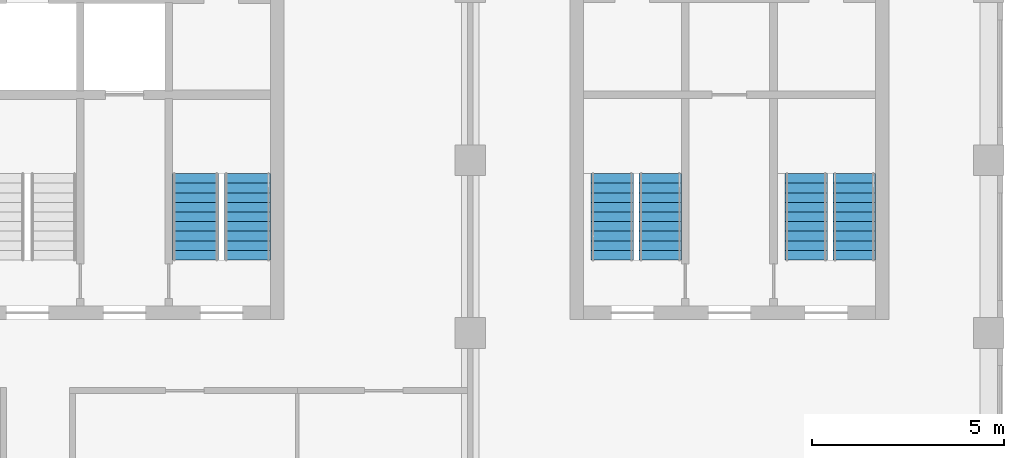
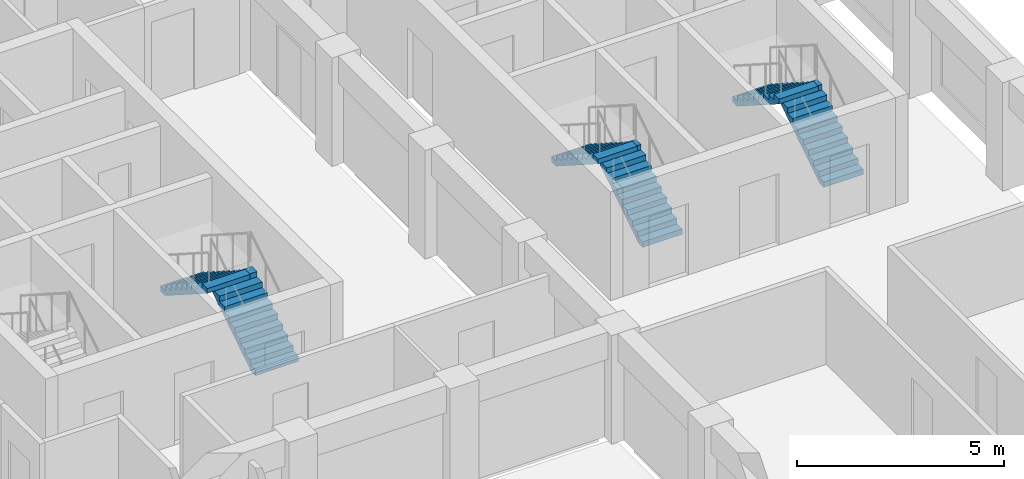
# One storey, part 8 of 10: 6 stair flights, 3 elements without a shape of their own.
"""IFC4 building model written with IfcOpenShell, lengths in metres."""

from ifc_helpers import new_model, si_unit, direction, frame, origin, place, context, subcontext, project, spatial, polyline, outline, extrude, material, type_object, element, aggregate, save


model = new_model("IFC4")

# Units and contexts
model_context = context("Model", 3, precision=1e-05, world=origin(), true_north=direction((0.0, 1.0)))
body_context = subcontext(model_context, "Body", "Model", "MODEL_VIEW")
ifc_project = project(units=[si_unit("LENGTHUNIT", "METRE"), si_unit("AREAUNIT", "SQUARE_METRE"), si_unit("VOLUMEUNIT", "CUBIC_METRE"), si_unit("PLANEANGLEUNIT", "RADIAN"), si_unit("MASSUNIT", "GRAM", prefix="KILO")], contexts=[model_context])

# Site, building, storey
site_placement = place(None, origin())
site = spatial("IfcSite", under=ifc_project, at=site_placement, CompositionType="ELEMENT")
building_placement = place(site_placement, origin())
building = spatial("IfcBuilding", under=site, at=building_placement, Name="Girih Gate Residences", CompositionType="ELEMENT")
storey_placement = place(building_placement, frame((0.0, 0.0, 195.5)))
storey = spatial("IfcBuildingStorey", under=building, at=storey_placement, Name="L54", CompositionType="ELEMENT", Elevation=195.5)

# Stair, stair flights
ifc_material = material(Name="Concrete C40/50", Category="concrete")
stair_type_1 = type_object("IfcStairType", Name="Exit stair C core", PredefinedType="HALF_TURN_STAIR", material=ifc_material)
stair_1_placement = place(storey_placement, origin())
stair_1 = element("IfcStair", 1, at=stair_1_placement, inside=storey, type_object=stair_type_1, Name="L54 Exit Stair ST-C1", PredefinedType="HALF_TURN_STAIR")
stair_flight_type_1 = type_object("IfcStairFlightType", Name="Stair flight 1100", PredefinedType="STRAIGHT", material=ifc_material)
stair_flight_1_placement = place(storey_placement, frame((22.949951171875, 28.89990234375, 0.0), z_axis=(0.0, 0.0, 1.0), x_axis=(0.0, 1.0, 0.0)))
stair_flight_1 = element("IfcStairFlight", 2, at=stair_flight_1_placement, type_object=stair_flight_type_1, Name="ST-C1 flight 1", NumberOfRisers=10, NumberOfTreads=9, PredefinedType="STRAIGHT", RiserHeight=0.16, TreadLength=0.25, context=body_context, shape_type="SweptSolid", body=[
    extrude(outline(polyline([(0.0, 0.0), (0.0, 0.159912109375), (0.25, 0.159912109375), (0.25, 0.320068359375), (0.5, 0.320068359375), (0.5, 0.47998046875), (0.75, 0.47998046875), (0.75, 0.639892578125), (1.0, 0.639892578125), (1.0, 0.800048828125), (1.25, 0.800048828125), (1.25, 0.9599609375), (1.5, 0.9599609375), (1.5, 1.1201171875), (1.75, 1.1201171875), (1.75, 1.280029296875), (2.0, 1.280029296875), (2.0, 1.43994140625), (2.25, 1.43994140625), (2.25, 1.60009765625), (2.25, 1.29736328125), (0.222900390625, 0.0), (0.0, 0.0)])), frame((0.0, 0.550048828125, 0.0), z_axis=(0.0, -1.0, 0.0), x_axis=(1.0, 0.0, 0.0)), (0.0, 0.0, 1.0), 1.10009765625),
])
stair_flight_2_placement = place(storey_placement, frame((21.699951171875, 31.14990234375, 1.60009765625), z_axis=(0.0, 0.0, 1.0), x_axis=(0.0, -1.0, 0.0)))
stair_flight_2 = element("IfcStairFlight", 3, at=stair_flight_2_placement, type_object=stair_flight_type_1, Name="ST-C1 flight 2", NumberOfRisers=10, NumberOfTreads=9, PredefinedType="STRAIGHT", RiserHeight=0.16, TreadLength=0.25, context=body_context, shape_type="SweptSolid", body=[
    extrude(outline(polyline([(0.0, 0.0), (0.0, 0.159912109375), (0.25, 0.159912109375), (0.25, 0.320068359375), (0.5, 0.320068359375), (0.5, 0.47998046875), (0.75, 0.47998046875), (0.75, 0.639892578125), (1.0, 0.639892578125), (1.0, 0.800048828125), (1.25, 0.800048828125), (1.25, 0.9599609375), (1.5, 0.9599609375), (1.5, 1.1201171875), (1.75, 1.1201171875), (1.75, 1.280029296875), (2.0, 1.280029296875), (2.0, 1.43994140625), (2.25, 1.43994140625), (2.25, 1.60009765625), (2.25, 1.29736328125), (0.222900390625, 0.0), (0.0, 0.0)])), frame((0.0, 0.550048828125, 0.0), z_axis=(0.0, -1.0, 0.0), x_axis=(1.0, 0.0, 0.0)), (0.0, 0.0, 1.0), 1.10009765625),
])
aggregate(stair_1, [stair_flight_1, stair_flight_2])

stair_2_placement = place(storey_placement, origin())
stair_2 = element("IfcStair", 4, at=stair_2_placement, inside=storey, type_object=stair_type_1, Name="L54 Exit Stair ST-C2", PredefinedType="HALF_TURN_STAIR")
stair_flight_3_placement = place(storey_placement, frame((28.0, 28.89990234375, 0.0), z_axis=(0.0, 0.0, 1.0), x_axis=(0.0, 1.0, 0.0)))
stair_flight_3 = element("IfcStairFlight", 5, at=stair_flight_3_placement, type_object=stair_flight_type_1, Name="ST-C2 flight 1", NumberOfRisers=10, NumberOfTreads=9, PredefinedType="STRAIGHT", RiserHeight=0.16, TreadLength=0.25, context=body_context, shape_type="SweptSolid", body=[
    extrude(outline(polyline([(0.0, 0.0), (0.0, 0.159912109375), (0.25, 0.159912109375), (0.25, 0.320068359375), (0.5, 0.320068359375), (0.5, 0.47998046875), (0.75, 0.47998046875), (0.75, 0.639892578125), (1.0, 0.639892578125), (1.0, 0.800048828125), (1.25, 0.800048828125), (1.25, 0.9599609375), (1.5, 0.9599609375), (1.5, 1.1201171875), (1.75, 1.1201171875), (1.75, 1.280029296875), (2.0, 1.280029296875), (2.0, 1.43994140625), (2.25, 1.43994140625), (2.25, 1.60009765625), (2.25, 1.29736328125), (0.222900390625, 0.0), (0.0, 0.0)])), frame((0.0, 0.550048828125, 0.0), z_axis=(0.0, -1.0, 0.0), x_axis=(1.0, 0.0, 0.0)), (0.0, 0.0, 1.0), 1.10009765625),
])
stair_flight_4_placement = place(storey_placement, frame((26.75, 31.14990234375, 1.60009765625), z_axis=(0.0, 0.0, 1.0), x_axis=(0.0, -1.0, 0.0)))
stair_flight_4 = element("IfcStairFlight", 6, at=stair_flight_4_placement, type_object=stair_flight_type_1, Name="ST-C2 flight 2", NumberOfRisers=10, NumberOfTreads=9, PredefinedType="STRAIGHT", RiserHeight=0.16, TreadLength=0.25, context=body_context, shape_type="SweptSolid", body=[
    extrude(outline(polyline([(0.0, 0.0), (0.0, 0.159912109375), (0.25, 0.159912109375), (0.25, 0.320068359375), (0.5, 0.320068359375), (0.5, 0.47998046875), (0.75, 0.47998046875), (0.75, 0.639892578125), (1.0, 0.639892578125), (1.0, 0.800048828125), (1.25, 0.800048828125), (1.25, 0.9599609375), (1.5, 0.9599609375), (1.5, 1.1201171875), (1.75, 1.1201171875), (1.75, 1.280029296875), (2.0, 1.280029296875), (2.0, 1.43994140625), (2.25, 1.43994140625), (2.25, 1.60009765625), (2.25, 1.29736328125), (0.222900390625, 0.0), (0.0, 0.0)])), frame((0.0, 0.550048828125, 0.0), z_axis=(0.0, -1.0, 0.0), x_axis=(1.0, 0.0, 0.0)), (0.0, 0.0, 1.0), 1.10009765625),
])
aggregate(stair_2, [stair_flight_3, stair_flight_4])

stair_type_2 = type_object("IfcStairType", Name="Exit stair", PredefinedType="HALF_TURN_STAIR", material=ifc_material)
stair_3_placement = place(storey_placement, origin())
stair_3 = element("IfcStair", 7, at=stair_3_placement, inside=storey, type_object=stair_type_2, Name="L54 Exit Stair ST-W2", PredefinedType="HALF_TURN_STAIR")
stair_flight_type_2 = type_object("IfcStairFlightType", Name="Stair flight 1200", PredefinedType="STRAIGHT", material=ifc_material)
stair_flight_5_placement = place(storey_placement, frame((12.199951171875, 28.89990234375, 0.0), z_axis=(0.0, 0.0, 1.0), x_axis=(0.0, 1.0, 0.0)))
stair_flight_5 = element("IfcStairFlight", 8, at=stair_flight_5_placement, type_object=stair_flight_type_2, Name="ST-W2 flight 1", NumberOfRisers=10, NumberOfTreads=9, PredefinedType="STRAIGHT", RiserHeight=0.16, TreadLength=0.25, context=body_context, shape_type="SweptSolid", body=[
    extrude(outline(polyline([(0.0, 0.0), (0.0, 0.159912109375), (0.25, 0.159912109375), (0.25, 0.320068359375), (0.5, 0.320068359375), (0.5, 0.47998046875), (0.75, 0.47998046875), (0.75, 0.639892578125), (1.0, 0.639892578125), (1.0, 0.800048828125), (1.25, 0.800048828125), (1.25, 0.9599609375), (1.5, 0.9599609375), (1.5, 1.1201171875), (1.75, 1.1201171875), (1.75, 1.280029296875), (2.0, 1.280029296875), (2.0, 1.43994140625), (2.25, 1.43994140625), (2.25, 1.60009765625), (2.25, 1.29736328125), (0.222900390625, 0.0), (0.0, 0.0)])), frame((0.0, 0.60009765625, 0.0), z_axis=(0.0, -1.0, 0.0), x_axis=(1.0, 0.0, 0.0)), (0.0, 0.0, 1.0), 1.199951171875),
])
stair_flight_6_placement = place(storey_placement, frame((10.85009765625, 31.14990234375, 1.60009765625), z_axis=(0.0, 0.0, 1.0), x_axis=(0.0, -1.0, 0.0)))
stair_flight_6 = element("IfcStairFlight", 9, at=stair_flight_6_placement, type_object=stair_flight_type_2, Name="ST-W2 flight 2", NumberOfRisers=10, NumberOfTreads=9, PredefinedType="STRAIGHT", RiserHeight=0.16, TreadLength=0.25, context=body_context, shape_type="SweptSolid", body=[
    extrude(outline(polyline([(0.0, 0.0), (0.0, 0.159912109375), (0.25, 0.159912109375), (0.25, 0.320068359375), (0.5, 0.320068359375), (0.5, 0.47998046875), (0.75, 0.47998046875), (0.75, 0.639892578125), (1.0, 0.639892578125), (1.0, 0.800048828125), (1.25, 0.800048828125), (1.25, 0.9599609375), (1.5, 0.9599609375), (1.5, 1.1201171875), (1.75, 1.1201171875), (1.75, 1.280029296875), (2.0, 1.280029296875), (2.0, 1.43994140625), (2.25, 1.43994140625), (2.25, 1.60009765625), (2.25, 1.29736328125), (0.222900390625, 0.0), (0.0, 0.0)])), frame((0.0, 0.60009765625, 0.0), z_axis=(0.0, -1.0, 0.0), x_axis=(1.0, 0.0, 0.0)), (0.0, 0.0, 1.0), 1.199951171875),
])
aggregate(stair_3, [stair_flight_5, stair_flight_6])

save(model, "model.ifc")
